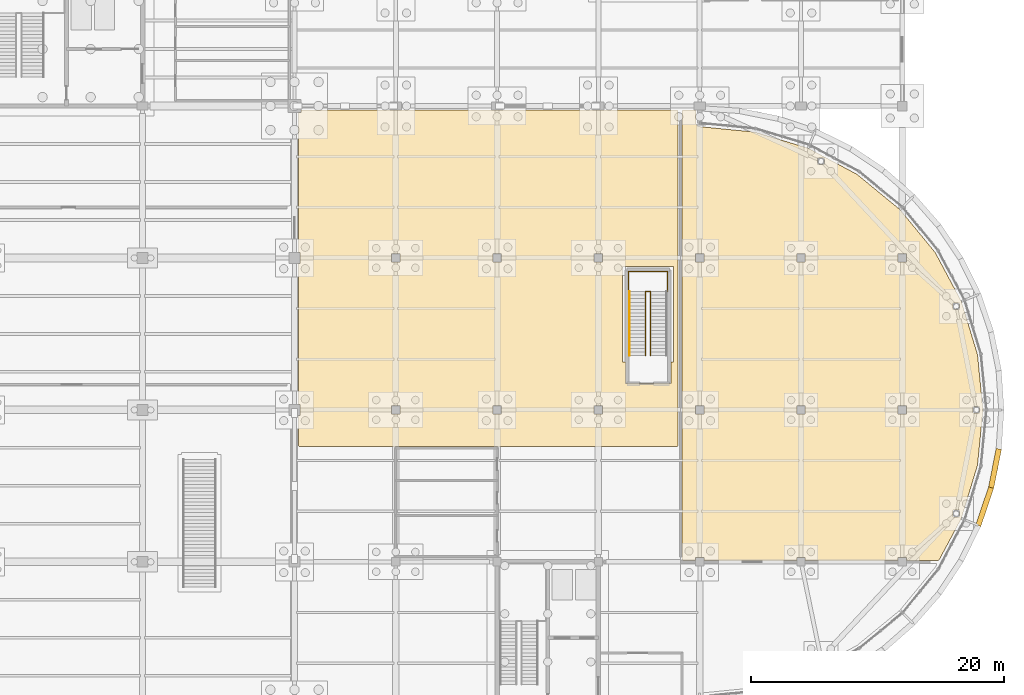
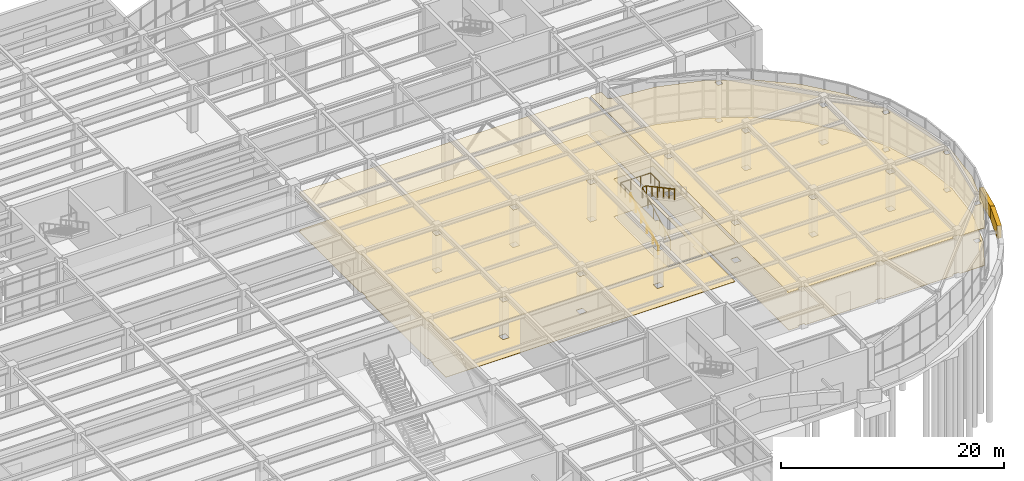
# One storey, part 81 of 85: 6 coverings, 3 railings.
"""IFC4 building model written with IfcOpenShell, lengths in metres."""

from ifc_helpers import new_model, si_unit, direction, frame, origin, origin_2d, place, context, subcontext, project, spatial, polyline, circle, outline, extrude, material, layer, layer_set, type_object, element, save


model = new_model("IFC4")

# Units and contexts
model_context = context("Model", 3, precision=1e-05, world=origin(), true_north=direction((0.0, 1.0)))
body_context = subcontext(model_context, "Body", "Model", "MODEL_VIEW")
ifc_project = project(units=[si_unit("LENGTHUNIT", "METRE"), si_unit("AREAUNIT", "SQUARE_METRE"), si_unit("VOLUMEUNIT", "CUBIC_METRE"), si_unit("PLANEANGLEUNIT", "RADIAN"), si_unit("MASSUNIT", "GRAM", prefix="KILO")], contexts=[model_context])

# Site, building, storey
site_placement = place(None, origin())
site = spatial("IfcSite", under=ifc_project, at=site_placement, CompositionType="ELEMENT")
building_placement = place(site_placement, origin())
building = spatial("IfcBuilding", under=site, at=building_placement, Name="Keelwater Ferry Terminal", CompositionType="ELEMENT")
storey_placement = place(building_placement, origin())
storey = spatial("IfcBuildingStorey", under=building, at=storey_placement, Name="L00", CompositionType="ELEMENT", Elevation=0.0)

# Coverings
ifc_material_1 = material(Name="Perforated acoustic gypsum board ceiling", Category="gypsum")
ifc_layer_1 = layer(ifc_material_1, 0.044921875)
ifc_layer_set_1 = layer_set([ifc_layer_1], Name="Perforated acoustic gypsum board ceiling")
covering_type_1 = type_object("IfcCoveringType", Name="CL-AC Acoustic Baffle Ceiling", PredefinedType="CEILING", material=ifc_layer_set_1)
covering_1_placement = place(storey_placement, frame((0.0, 0.0, 4.10009765625)))
element("IfcCovering", 1, at=covering_1_placement, inside=storey, type_object=covering_type_1, Name="Arrivals Hall Acoustic Ceiling", PredefinedType="CEILING", context=body_context, shape_type="SweptSolid", body=[
    extrude(outline(polyline([(132.320068359375, 66.43701171875), (132.320068359375, 66.445068359375), (132.320068359375, 77.554931640625), (132.320068359375, 77.56298828125), (132.321044921875, 77.56494140625), (132.43505859375, 77.56494140625), (132.43505859375, 78.43505859375), (132.321044921875, 78.43505859375), (132.320068359375, 78.43701171875), (132.320068359375, 78.445068359375), (132.320068359375, 89.47998046875), (132.320068359375, 89.488037109375), (132.321044921875, 89.489990234375), (132.510009765625, 89.489990234375), (132.510009765625, 89.678955078125), (132.511962890625, 89.679931640625), (132.52001953125, 89.679931640625), (162.199951171875, 89.679931640625), (162.2080078125, 89.679931640625), (162.216064453125, 89.677978515625), (162.222900390625, 89.677001953125), (162.23095703125, 89.674072265625), (162.238037109375, 89.6708984375), (162.243896484375, 89.6669921875), (162.2509765625, 89.662109375), (162.257080078125, 89.656982421875), (162.261962890625, 89.65087890625), (162.26708984375, 89.64404296875), (162.27099609375, 89.637939453125), (162.27392578125, 89.631103515625), (162.277099609375, 89.623046875), (162.278076171875, 89.615966796875), (162.280029296875, 89.60791015625), (162.280029296875, 89.60009765625), (162.280029296875, 63.199951171875), (162.280029296875, 63.19189453125), (162.278076171875, 63.18408203125), (162.277099609375, 63.177001953125), (162.27392578125, 63.1689453125), (162.27099609375, 63.162109375), (162.26708984375, 63.156005859375), (162.261962890625, 63.14892578125), (162.257080078125, 63.14306640625), (162.2509765625, 63.137939453125), (162.243896484375, 63.133056640625), (162.238037109375, 63.12890625), (162.23095703125, 63.1259765625), (162.222900390625, 63.123046875), (162.216064453125, 63.1220703125), (162.2080078125, 63.1201171875), (162.199951171875, 63.1201171875), (132.39990234375, 63.1201171875), (132.39208984375, 63.1201171875), (132.384033203125, 63.1220703125), (132.376953125, 63.123046875), (132.368896484375, 63.1259765625), (132.362060546875, 63.12890625), (132.35595703125, 63.133056640625), (132.34912109375, 63.137939453125), (132.343017578125, 63.14306640625), (132.337890625, 63.14892578125), (132.3330078125, 63.156005859375), (132.3291015625, 63.162109375), (132.325927734375, 63.1689453125), (132.322998046875, 63.177001953125), (132.322021484375, 63.18408203125), (132.320068359375, 63.19189453125), (132.320068359375, 63.199951171875), (132.320068359375, 65.554931640625), (132.320068359375, 65.56298828125), (132.321044921875, 65.56494140625), (132.43505859375, 65.56494140625), (132.43505859375, 66.43505859375), (132.321044921875, 66.43505859375), (132.320068359375, 66.43701171875)]), holes=[polyline([(161.719970703125, 69.800048828125), (161.93994140625, 69.800048828125), (161.93994140625, 77.340087890625), (157.89990234375, 77.340087890625), (157.89990234375, 69.800048828125), (158.179931640625, 69.800048828125), (158.179931640625, 68.080078125), (161.719970703125, 68.080078125), (161.719970703125, 69.800048828125)]), polyline([(140.3349609375, 66.3349609375), (139.6650390625, 66.3349609375), (139.6650390625, 65.6650390625), (140.3349609375, 65.6650390625), (140.3349609375, 66.3349609375)]), polyline([(156.3349609375, 66.3349609375), (155.6650390625, 66.3349609375), (155.6650390625, 65.6650390625), (156.3349609375, 65.6650390625), (156.3349609375, 66.3349609375)]), polyline([(148.3349609375, 66.3349609375), (147.6650390625, 66.3349609375), (147.6650390625, 65.6650390625), (148.3349609375, 65.6650390625), (148.3349609375, 66.3349609375)]), polyline([(156.3349609375, 78.3349609375), (155.6650390625, 78.3349609375), (155.6650390625, 77.6650390625), (156.3349609375, 77.6650390625), (156.3349609375, 78.3349609375)]), polyline([(148.3349609375, 78.3349609375), (147.6650390625, 78.3349609375), (147.6650390625, 77.6650390625), (148.3349609375, 77.6650390625), (148.3349609375, 78.3349609375)]), polyline([(140.3349609375, 78.3349609375), (139.6650390625, 78.3349609375), (139.6650390625, 77.6650390625), (140.3349609375, 77.6650390625), (140.3349609375, 78.3349609375)])]), origin(), (0.0, 0.0, 1.0), 0.044921875),
])
covering_2_placement = place(storey_placement, frame((0.0, 0.0, 4.10009765625)))
element("IfcCovering", 2, at=covering_2_placement, inside=storey, type_object=covering_type_1, Name="Baggage Reclaim Hall Acoustic Ceiling", PredefinedType="CEILING", context=body_context, shape_type="SweptSolid", body=[
    extrude(outline(polyline([(163.656005859375, 89.677978515625), (163.6630859375, 89.677001953125), (163.6708984375, 89.674072265625), (163.677978515625, 89.6708984375), (163.68408203125, 89.6669921875), (163.69091796875, 89.662109375), (163.697021484375, 89.656982421875), (163.701904296875, 89.65087890625), (163.70703125, 89.64404296875), (163.7109375, 89.637939453125), (163.714111328125, 89.631103515625), (163.717041015625, 89.623046875), (163.718017578125, 89.615966796875), (163.719970703125, 89.60791015625), (163.719970703125, 89.60009765625), (163.719970703125, 88.654052734375), (163.72607421875, 88.597900390625), (163.7548828125, 88.51611328125), (163.783935546875, 88.472900390625), (163.822021484375, 88.43505859375), (163.89306640625, 88.39208984375), (163.97802734375, 88.37109375), (168.35595703125, 87.93994140625), (168.364013671875, 87.93798828125), (168.37109375, 87.93701171875), (172.552978515625, 86.6689453125), (172.56103515625, 86.666015625), (172.568115234375, 86.6630859375), (173.837890625, 85.98388671875), (173.843994140625, 85.97998046875), (173.85107421875, 85.97509765625), (173.85693359375, 85.969970703125), (173.861083984375, 85.964111328125), (173.867919921875, 85.962890625), (173.875, 85.9619140625), (173.883056640625, 85.958984375), (173.889892578125, 85.9560546875), (176.4208984375, 84.60302734375), (176.427001953125, 84.59912109375), (176.43408203125, 84.593994140625), (179.81103515625, 81.822021484375), (179.81689453125, 81.81689453125), (179.822021484375, 81.81103515625), (182.593994140625, 78.43408203125), (182.59912109375, 78.427001953125), (182.60302734375, 78.4208984375), (184.6630859375, 74.568115234375), (184.666015625, 74.56103515625), (184.6689453125, 74.552978515625), (185.93701171875, 70.37109375), (185.93798828125, 70.364013671875), (185.93994140625, 70.35595703125), (186.367919921875, 66.008056640625), (186.367919921875, 66.0), (186.367919921875, 65.991943359375), (185.93994140625, 61.64404296875), (185.93798828125, 61.635986328125), (185.93701171875, 61.62890625), (184.6689453125, 57.447021484375), (184.666015625, 57.43896484375), (184.6630859375, 57.431884765625), (182.9150390625, 54.162109375), (182.910888671875, 54.156005859375), (182.906005859375, 54.14892578125), (182.90087890625, 54.14306640625), (182.89501953125, 54.137939453125), (182.887939453125, 54.133056640625), (182.882080078125, 54.12890625), (182.875, 54.1259765625), (182.866943359375, 54.123046875), (182.860107421875, 54.1220703125), (182.85205078125, 54.1201171875), (182.843994140625, 54.1201171875), (180.344970703125, 54.1201171875), (180.3369140625, 54.1201171875), (180.3349609375, 54.12109375), (180.3349609375, 54.3349609375), (179.6650390625, 54.3349609375), (179.6650390625, 54.12109375), (179.6630859375, 54.1201171875), (179.655029296875, 54.1201171875), (172.344970703125, 54.1201171875), (172.3369140625, 54.1201171875), (172.3349609375, 54.12109375), (172.3349609375, 54.3349609375), (171.6650390625, 54.3349609375), (171.6650390625, 54.12109375), (171.6630859375, 54.1201171875), (171.655029296875, 54.1201171875), (164.344970703125, 54.1201171875), (164.3369140625, 54.1201171875), (164.3349609375, 54.12109375), (164.3349609375, 54.3349609375), (163.6650390625, 54.3349609375), (163.6650390625, 54.12109375), (163.6630859375, 54.1201171875), (163.655029296875, 54.1201171875), (162.699951171875, 54.1201171875), (162.69189453125, 54.1201171875), (162.68408203125, 54.1220703125), (162.677001953125, 54.123046875), (162.6689453125, 54.1259765625), (162.662109375, 54.12890625), (162.656005859375, 54.133056640625), (162.64892578125, 54.137939453125), (162.64306640625, 54.14306640625), (162.637939453125, 54.14892578125), (162.633056640625, 54.156005859375), (162.62890625, 54.162109375), (162.6259765625, 54.1689453125), (162.623046875, 54.177001953125), (162.6220703125, 54.18408203125), (162.6201171875, 54.19189453125), (162.6201171875, 54.199951171875), (162.6201171875, 89.60009765625), (162.6201171875, 89.60791015625), (162.6220703125, 89.615966796875), (162.623046875, 89.623046875), (162.6259765625, 89.631103515625), (162.62890625, 89.637939453125), (162.633056640625, 89.64404296875), (162.637939453125, 89.65087890625), (162.64306640625, 89.656982421875), (162.64892578125, 89.662109375), (162.656005859375, 89.6669921875), (162.662109375, 89.6708984375), (162.6689453125, 89.674072265625), (162.677001953125, 89.677001953125), (162.68408203125, 89.677978515625), (162.69189453125, 89.679931640625), (162.699951171875, 89.679931640625), (163.639892578125, 89.679931640625), (163.64794921875, 89.679931640625), (163.656005859375, 89.677978515625)]), holes=[polyline([(183.9951171875, 58.0791015625), (183.9951171875, 57.551025390625), (184.52294921875, 57.551025390625), (184.52294921875, 58.0791015625), (183.9951171875, 58.0791015625)]), polyline([(164.3349609375, 66.3349609375), (163.6650390625, 66.3349609375), (163.6650390625, 65.6650390625), (164.3349609375, 65.6650390625), (164.3349609375, 66.3349609375)]), polyline([(172.3349609375, 66.3349609375), (171.6650390625, 66.3349609375), (171.6650390625, 65.6650390625), (172.3349609375, 65.6650390625), (172.3349609375, 66.3349609375)]), polyline([(179.6650390625, 66.3349609375), (179.6650390625, 65.6650390625), (180.3349609375, 65.6650390625), (180.3349609375, 66.3349609375), (179.6650390625, 66.3349609375)]), polyline([(186.114013671875, 66.263916015625), (185.5859375, 66.263916015625), (185.5859375, 65.736083984375), (186.114013671875, 65.736083984375), (186.114013671875, 66.263916015625)]), polyline([(183.9951171875, 74.448974609375), (183.9951171875, 73.9208984375), (184.52294921875, 73.9208984375), (184.52294921875, 74.448974609375), (183.9951171875, 74.448974609375)]), polyline([(164.3349609375, 78.3349609375), (163.6650390625, 78.3349609375), (163.6650390625, 77.6650390625), (164.3349609375, 77.6650390625), (164.3349609375, 78.3349609375)]), polyline([(180.3349609375, 78.3349609375), (179.6650390625, 78.3349609375), (179.6650390625, 77.6650390625), (180.3349609375, 77.6650390625), (180.3349609375, 78.3349609375)]), polyline([(171.6650390625, 78.3349609375), (171.6650390625, 77.6650390625), (172.3349609375, 77.6650390625), (172.3349609375, 78.3349609375), (171.6650390625, 78.3349609375)]), polyline([(173.842041015625, 85.903076171875), (173.31396484375, 85.903076171875), (173.31396484375, 85.375), (173.842041015625, 85.375), (173.842041015625, 85.903076171875)])]), origin(), (0.0, 0.0, 1.0), 0.044921875),
])
ifc_material_2 = material(Name="Polished mineral terrazzo tile", Category="stone")
ifc_layer_2 = layer(ifc_material_2, 0.030029296875)
ifc_layer_set_2 = layer_set([ifc_layer_2], Name="Polished mineral terrazzo tile")
covering_type_2 = type_object("IfcCoveringType", Name="FL-TZ Marine Terrazzo Flooring", PredefinedType="FLOORING", material=ifc_layer_set_2)
covering_3_placement = place(storey_placement, origin())
element("IfcCovering", 3, at=covering_3_placement, inside=storey, type_object=covering_type_2, Name="Arrivals Hall Terrazzo Floor", PredefinedType="FLOORING", context=body_context, shape_type="SweptSolid", body=[
    extrude(outline(polyline([(132.320068359375, 66.43701171875), (132.320068359375, 66.445068359375), (132.320068359375, 77.554931640625), (132.320068359375, 77.56298828125), (132.321044921875, 77.56494140625), (132.43505859375, 77.56494140625), (132.43505859375, 78.43505859375), (132.321044921875, 78.43505859375), (132.320068359375, 78.43701171875), (132.320068359375, 78.445068359375), (132.320068359375, 89.47998046875), (132.320068359375, 89.488037109375), (132.321044921875, 89.489990234375), (132.510009765625, 89.489990234375), (132.510009765625, 89.678955078125), (132.511962890625, 89.679931640625), (132.52001953125, 89.679931640625), (162.199951171875, 89.679931640625), (162.2080078125, 89.679931640625), (162.216064453125, 89.677978515625), (162.222900390625, 89.677001953125), (162.23095703125, 89.674072265625), (162.238037109375, 89.6708984375), (162.243896484375, 89.6669921875), (162.2509765625, 89.662109375), (162.257080078125, 89.656982421875), (162.261962890625, 89.65087890625), (162.26708984375, 89.64404296875), (162.27099609375, 89.637939453125), (162.27392578125, 89.631103515625), (162.277099609375, 89.623046875), (162.278076171875, 89.615966796875), (162.280029296875, 89.60791015625), (162.280029296875, 89.60009765625), (162.280029296875, 63.199951171875), (162.280029296875, 63.19189453125), (162.278076171875, 63.18408203125), (162.277099609375, 63.177001953125), (162.27392578125, 63.1689453125), (162.27099609375, 63.162109375), (162.26708984375, 63.156005859375), (162.261962890625, 63.14892578125), (162.257080078125, 63.14306640625), (162.2509765625, 63.137939453125), (162.243896484375, 63.133056640625), (162.238037109375, 63.12890625), (162.23095703125, 63.1259765625), (162.222900390625, 63.123046875), (162.216064453125, 63.1220703125), (162.2080078125, 63.1201171875), (162.199951171875, 63.1201171875), (132.39990234375, 63.1201171875), (132.39208984375, 63.1201171875), (132.384033203125, 63.1220703125), (132.376953125, 63.123046875), (132.368896484375, 63.1259765625), (132.362060546875, 63.12890625), (132.35595703125, 63.133056640625), (132.34912109375, 63.137939453125), (132.343017578125, 63.14306640625), (132.337890625, 63.14892578125), (132.3330078125, 63.156005859375), (132.3291015625, 63.162109375), (132.325927734375, 63.1689453125), (132.322998046875, 63.177001953125), (132.322021484375, 63.18408203125), (132.320068359375, 63.19189453125), (132.320068359375, 63.199951171875), (132.320068359375, 65.554931640625), (132.320068359375, 65.56298828125), (132.321044921875, 65.56494140625), (132.43505859375, 65.56494140625), (132.43505859375, 66.43505859375), (132.321044921875, 66.43505859375), (132.320068359375, 66.43701171875)]), holes=[polyline([(161.719970703125, 69.800048828125), (161.93994140625, 69.800048828125), (161.93994140625, 77.340087890625), (157.89990234375, 77.340087890625), (157.89990234375, 69.800048828125), (158.179931640625, 69.800048828125), (158.179931640625, 68.080078125), (161.719970703125, 68.080078125), (161.719970703125, 69.800048828125)]), polyline([(140.3349609375, 66.3349609375), (139.6650390625, 66.3349609375), (139.6650390625, 65.6650390625), (140.3349609375, 65.6650390625), (140.3349609375, 66.3349609375)]), polyline([(156.3349609375, 66.3349609375), (155.6650390625, 66.3349609375), (155.6650390625, 65.6650390625), (156.3349609375, 65.6650390625), (156.3349609375, 66.3349609375)]), polyline([(148.3349609375, 66.3349609375), (147.6650390625, 66.3349609375), (147.6650390625, 65.6650390625), (148.3349609375, 65.6650390625), (148.3349609375, 66.3349609375)]), polyline([(156.3349609375, 78.3349609375), (155.6650390625, 78.3349609375), (155.6650390625, 77.6650390625), (156.3349609375, 77.6650390625), (156.3349609375, 78.3349609375)]), polyline([(148.3349609375, 78.3349609375), (147.6650390625, 78.3349609375), (147.6650390625, 77.6650390625), (148.3349609375, 77.6650390625), (148.3349609375, 78.3349609375)]), polyline([(140.3349609375, 78.3349609375), (139.6650390625, 78.3349609375), (139.6650390625, 77.6650390625), (140.3349609375, 77.6650390625), (140.3349609375, 78.3349609375)])]), origin(), (0.0, 0.0, 1.0), 0.030029296875),
])
covering_4_placement = place(storey_placement, origin())
element("IfcCovering", 4, at=covering_4_placement, inside=storey, type_object=covering_type_2, Name="Baggage Reclaim Hall Terrazzo Floor", PredefinedType="FLOORING", context=body_context, shape_type="SweptSolid", body=[
    extrude(outline(polyline([(163.656005859375, 89.677978515625), (163.6630859375, 89.677001953125), (163.6708984375, 89.674072265625), (163.677978515625, 89.6708984375), (163.68408203125, 89.6669921875), (163.69091796875, 89.662109375), (163.697021484375, 89.656982421875), (163.701904296875, 89.65087890625), (163.70703125, 89.64404296875), (163.7109375, 89.637939453125), (163.714111328125, 89.631103515625), (163.717041015625, 89.623046875), (163.718017578125, 89.615966796875), (163.719970703125, 89.60791015625), (163.719970703125, 89.60009765625), (163.719970703125, 88.654052734375), (163.72607421875, 88.597900390625), (163.7548828125, 88.51611328125), (163.783935546875, 88.472900390625), (163.822021484375, 88.43505859375), (163.89306640625, 88.39208984375), (163.97802734375, 88.37109375), (168.35595703125, 87.93994140625), (168.364013671875, 87.93798828125), (168.37109375, 87.93701171875), (172.552978515625, 86.6689453125), (172.56103515625, 86.666015625), (172.568115234375, 86.6630859375), (173.837890625, 85.98388671875), (173.843994140625, 85.97998046875), (173.85107421875, 85.97509765625), (173.85693359375, 85.969970703125), (173.861083984375, 85.964111328125), (173.867919921875, 85.962890625), (173.875, 85.9619140625), (173.883056640625, 85.958984375), (173.889892578125, 85.9560546875), (176.4208984375, 84.60302734375), (176.427001953125, 84.59912109375), (176.43408203125, 84.593994140625), (179.81103515625, 81.822021484375), (179.81689453125, 81.81689453125), (179.822021484375, 81.81103515625), (182.593994140625, 78.43408203125), (182.59912109375, 78.427001953125), (182.60302734375, 78.4208984375), (184.6630859375, 74.568115234375), (184.666015625, 74.56103515625), (184.6689453125, 74.552978515625), (185.93701171875, 70.37109375), (185.93798828125, 70.364013671875), (185.93994140625, 70.35595703125), (186.367919921875, 66.008056640625), (186.367919921875, 66.0), (186.367919921875, 65.991943359375), (185.93994140625, 61.64404296875), (185.93798828125, 61.635986328125), (185.93701171875, 61.62890625), (184.6689453125, 57.447021484375), (184.666015625, 57.43896484375), (184.6630859375, 57.431884765625), (182.9150390625, 54.162109375), (182.910888671875, 54.156005859375), (182.906005859375, 54.14892578125), (182.90087890625, 54.14306640625), (182.89501953125, 54.137939453125), (182.887939453125, 54.133056640625), (182.882080078125, 54.12890625), (182.875, 54.1259765625), (182.866943359375, 54.123046875), (182.860107421875, 54.1220703125), (182.85205078125, 54.1201171875), (182.843994140625, 54.1201171875), (180.344970703125, 54.1201171875), (180.3369140625, 54.1201171875), (180.3349609375, 54.12109375), (180.3349609375, 54.3349609375), (179.6650390625, 54.3349609375), (179.6650390625, 54.12109375), (179.6630859375, 54.1201171875), (179.655029296875, 54.1201171875), (172.344970703125, 54.1201171875), (172.3369140625, 54.1201171875), (172.3349609375, 54.12109375), (172.3349609375, 54.3349609375), (171.6650390625, 54.3349609375), (171.6650390625, 54.12109375), (171.6630859375, 54.1201171875), (171.655029296875, 54.1201171875), (164.344970703125, 54.1201171875), (164.3369140625, 54.1201171875), (164.3349609375, 54.12109375), (164.3349609375, 54.3349609375), (163.6650390625, 54.3349609375), (163.6650390625, 54.12109375), (163.6630859375, 54.1201171875), (163.655029296875, 54.1201171875), (162.699951171875, 54.1201171875), (162.69189453125, 54.1201171875), (162.68408203125, 54.1220703125), (162.677001953125, 54.123046875), (162.6689453125, 54.1259765625), (162.662109375, 54.12890625), (162.656005859375, 54.133056640625), (162.64892578125, 54.137939453125), (162.64306640625, 54.14306640625), (162.637939453125, 54.14892578125), (162.633056640625, 54.156005859375), (162.62890625, 54.162109375), (162.6259765625, 54.1689453125), (162.623046875, 54.177001953125), (162.6220703125, 54.18408203125), (162.6201171875, 54.19189453125), (162.6201171875, 54.199951171875), (162.6201171875, 89.60009765625), (162.6201171875, 89.60791015625), (162.6220703125, 89.615966796875), (162.623046875, 89.623046875), (162.6259765625, 89.631103515625), (162.62890625, 89.637939453125), (162.633056640625, 89.64404296875), (162.637939453125, 89.65087890625), (162.64306640625, 89.656982421875), (162.64892578125, 89.662109375), (162.656005859375, 89.6669921875), (162.662109375, 89.6708984375), (162.6689453125, 89.674072265625), (162.677001953125, 89.677001953125), (162.68408203125, 89.677978515625), (162.69189453125, 89.679931640625), (162.699951171875, 89.679931640625), (163.639892578125, 89.679931640625), (163.64794921875, 89.679931640625), (163.656005859375, 89.677978515625)]), holes=[polyline([(183.9951171875, 58.0791015625), (183.9951171875, 57.551025390625), (184.52294921875, 57.551025390625), (184.52294921875, 58.0791015625), (183.9951171875, 58.0791015625)]), polyline([(164.3349609375, 66.3349609375), (163.6650390625, 66.3349609375), (163.6650390625, 65.6650390625), (164.3349609375, 65.6650390625), (164.3349609375, 66.3349609375)]), polyline([(172.3349609375, 66.3349609375), (171.6650390625, 66.3349609375), (171.6650390625, 65.6650390625), (172.3349609375, 65.6650390625), (172.3349609375, 66.3349609375)]), polyline([(179.6650390625, 66.3349609375), (179.6650390625, 65.6650390625), (180.3349609375, 65.6650390625), (180.3349609375, 66.3349609375), (179.6650390625, 66.3349609375)]), polyline([(186.114013671875, 66.263916015625), (185.5859375, 66.263916015625), (185.5859375, 65.736083984375), (186.114013671875, 65.736083984375), (186.114013671875, 66.263916015625)]), polyline([(183.9951171875, 74.448974609375), (183.9951171875, 73.9208984375), (184.52294921875, 73.9208984375), (184.52294921875, 74.448974609375), (183.9951171875, 74.448974609375)]), polyline([(164.3349609375, 78.3349609375), (163.6650390625, 78.3349609375), (163.6650390625, 77.6650390625), (164.3349609375, 77.6650390625), (164.3349609375, 78.3349609375)]), polyline([(180.3349609375, 78.3349609375), (179.6650390625, 78.3349609375), (179.6650390625, 77.6650390625), (180.3349609375, 77.6650390625), (180.3349609375, 78.3349609375)]), polyline([(171.6650390625, 78.3349609375), (171.6650390625, 77.6650390625), (172.3349609375, 77.6650390625), (172.3349609375, 78.3349609375), (171.6650390625, 78.3349609375)]), polyline([(173.842041015625, 85.903076171875), (173.31396484375, 85.903076171875), (173.31396484375, 85.375), (173.842041015625, 85.375), (173.842041015625, 85.903076171875)])]), origin(), (0.0, 0.0, 1.0), 0.030029296875),
])

# Railings
ifc_material_3 = material(Name="Painted Steel S355", Category="steel")
railing_type_1 = type_object("IfcRailingType", Name="GR-115 Stair Well Guardrail", PredefinedType="GUARDRAIL", material=ifc_material_3)
railing_1_placement = place(storey_placement, frame((159.7099609375, 70.300048828125, 0.0)))
element("IfcRailing", 5, at=railing_1_placement, inside=storey, type_object=railing_type_1, Name="Stair ST-E5-L00 Inner Well Guard 87", PredefinedType="GUARDRAIL", context=body_context, shape_type="SweptSolid", body=[
    extrude(circle(Radius=0.02392578125, at=origin_2d()), frame((0.0, 0.0, 1.1259765625), z_axis=(0.0, 0.881485048194, 0.472211933151), x_axis=(-1.0, 0.0, 0.0)), (0.0, 0.0, 1.0), 5.7177734375),
    extrude(circle(Radius=0.02392578125, at=origin_2d()), frame((0.0, 5.0400390625, 3.82568359375), z_axis=(1.0, 0.0, 0.0), x_axis=(0.0, 1.0, 0.0)), (0.0, 0.0, 1.0), 0.419921875),
    extrude(circle(Radius=0.02392578125, at=origin_2d()), frame((0.419921875, 5.0400390625, 3.82568359375), z_axis=(0.0, -0.881485048194, 0.472211933151), x_axis=(1.0, 0.0, 0.0)), (0.0, 0.0, 1.0), 5.7177734375),
    extrude(circle(Radius=0.02099609375, at=origin_2d()), origin(), (0.0, 0.0, 1.0), 1.101806640625),
    extrude(circle(Radius=0.02099609375, at=origin_2d()), frame((0.0, 1.008056640625, 0.5400390625)), (0.0, 0.0, 1.0), 1.101806640625),
    extrude(circle(Radius=0.02099609375, at=origin_2d()), frame((0.0, 2.01611328125, 1.080078125)), (0.0, 0.0, 1.0), 1.101806640625),
    extrude(circle(Radius=0.02099609375, at=origin_2d()), frame((0.0, 3.02392578125, 1.619873046875)), (0.0, 0.0, 1.0), 1.101806640625),
    extrude(circle(Radius=0.02099609375, at=origin_2d()), frame((0.0, 4.031982421875, 2.159912109375)), (0.0, 0.0, 1.0), 1.101806640625),
    extrude(circle(Radius=0.02099609375, at=origin_2d()), frame((0.0, 5.0400390625, 2.699951171875)), (0.0, 0.0, 1.0), 1.101806640625),
    extrude(circle(Radius=0.02099609375, at=origin_2d()), frame((0.419921875, 5.0400390625, 2.699951171875)), (0.0, 0.0, 1.0), 1.101806640625),
    extrude(circle(Radius=0.02099609375, at=origin_2d()), frame((0.419921875, 4.031982421875, 3.239990234375)), (0.0, 0.0, 1.0), 1.101806640625),
    extrude(circle(Radius=0.02099609375, at=origin_2d()), frame((0.419921875, 3.02392578125, 3.780029296875)), (0.0, 0.0, 1.0), 1.101806640625),
    extrude(circle(Radius=0.02099609375, at=origin_2d()), frame((0.419921875, 2.01611328125, 4.31982421875)), (0.0, 0.0, 1.0), 1.101806640625),
    extrude(circle(Radius=0.02099609375, at=origin_2d()), frame((0.419921875, 1.008056640625, 4.85986328125)), (0.0, 0.0, 1.0), 1.101806640625),
    extrude(circle(Radius=0.02099609375, at=origin_2d()), frame((0.419921875, 0.0, 5.39990234375)), (0.0, 0.0, 1.0), 1.101806640625),
])
railing_2_placement = place(storey_placement, frame((158.39990234375, 75.340087890625, 2.699951171875)))
element("IfcRailing", 6, at=railing_2_placement, inside=storey, type_object=railing_type_1, Name="Stair ST-E5-L00 Half-Landing Guard 88", PredefinedType="GUARDRAIL", context=body_context, shape_type="SweptSolid", body=[
    extrude(circle(Radius=0.02392578125, at=origin_2d()), frame((0.0, 0.0, 1.1259765625), z_axis=(-1.0, 0.0, 0.0), x_axis=(0.0, -1.0, 0.0)), (0.0, 0.0, 1.0), 0.02001953125),
    extrude(circle(Radius=0.02392578125, at=origin_2d()), frame((-0.02001953125, 0.0, 1.1259765625), z_axis=(0.0, 1.0, 0.0), x_axis=(-1.0, 0.0, 0.0)), (0.0, 0.0, 1.0), 1.579833984375),
    extrude(circle(Radius=0.02392578125, at=origin_2d()), frame((-0.02001953125, 1.579833984375, 1.1259765625), z_axis=(1.0, 0.0, 0.0), x_axis=(0.0, 1.0, 0.0)), (0.0, 0.0, 1.0), 3.090087890625),
    extrude(circle(Radius=0.02392578125, at=origin_2d()), frame((3.070068359375, 1.579833984375, 1.1259765625), z_axis=(0.0, -1.0, 0.0), x_axis=(1.0, 0.0, 0.0)), (0.0, 0.0, 1.0), 1.579833984375),
    extrude(circle(Radius=0.02392578125, at=origin_2d()), frame((3.070068359375, 0.0, 1.1259765625), z_axis=(-1.0, 0.0, 0.0), x_axis=(0.0, -1.0, 0.0)), (0.0, 0.0, 1.0), 0.030029296875),
    extrude(circle(Radius=0.02099609375, at=origin_2d()), origin(), (0.0, 0.0, 1.0), 1.101806640625),
    extrude(circle(Radius=0.02099609375, at=origin_2d()), frame((-0.02001953125, 0.0, 0.0)), (0.0, 0.0, 1.0), 1.101806640625),
    extrude(circle(Radius=0.02099609375, at=origin_2d()), frame((-0.02001953125, 0.7900390625, 0.0)), (0.0, 0.0, 1.0), 1.101806640625),
    extrude(circle(Radius=0.02099609375, at=origin_2d()), frame((-0.02001953125, 1.579833984375, 0.0)), (0.0, 0.0, 1.0), 1.101806640625),
    extrude(circle(Radius=0.02099609375, at=origin_2d()), frame((1.010009765625, 1.579833984375, 0.0)), (0.0, 0.0, 1.0), 1.101806640625),
    extrude(circle(Radius=0.02099609375, at=origin_2d()), frame((2.0400390625, 1.579833984375, 0.0)), (0.0, 0.0, 1.0), 1.101806640625),
    extrude(circle(Radius=0.02099609375, at=origin_2d()), frame((3.070068359375, 1.579833984375, 0.0)), (0.0, 0.0, 1.0), 1.101806640625),
    extrude(circle(Radius=0.02099609375, at=origin_2d()), frame((3.070068359375, 0.7900390625, 0.0)), (0.0, 0.0, 1.0), 1.101806640625),
    extrude(circle(Radius=0.02099609375, at=origin_2d()), frame((3.070068359375, 0.0, 0.0)), (0.0, 0.0, 1.0), 1.101806640625),
    extrude(circle(Radius=0.02099609375, at=origin_2d()), frame((3.0400390625, 0.0, 0.0)), (0.0, 0.0, 1.0), 1.101806640625),
])
ifc_material_4 = material(Name="Brushed stainless steel handrail", Category="steel")
railing_type_2 = type_object("IfcRailingType", Name="HR-920 Stair Pitch Handrail", PredefinedType="HANDRAIL", material=ifc_material_4)
railing_3_placement = place(storey_placement, frame((158.4599609375, 70.300048828125, 0.0)))
element("IfcRailing", 7, at=railing_3_placement, inside=storey, type_object=railing_type_2, Name="Stair ST-E5-L00 Flight 1 Handrail 89", PredefinedType="HANDRAIL", context=body_context, shape_type="SweptSolid", body=[
    extrude(circle(Radius=0.02392578125, at=origin_2d()), frame((0.0, 0.0, 0.89599609375), z_axis=(0.0, 0.881485048194, 0.472211933151), x_axis=(-1.0, 0.0, 0.0)), (0.0, 0.0, 1.0), 5.7177734375),
    extrude(circle(Radius=0.02099609375, at=origin_2d()), origin(), (0.0, 0.0, 1.0), 0.871826171875),
    extrude(circle(Radius=0.02099609375, at=origin_2d()), frame((0.0, 1.008056640625, 0.5400390625)), (0.0, 0.0, 1.0), 0.871826171875),
    extrude(circle(Radius=0.02099609375, at=origin_2d()), frame((0.0, 2.01611328125, 1.080078125)), (0.0, 0.0, 1.0), 0.871826171875),
    extrude(circle(Radius=0.02099609375, at=origin_2d()), frame((0.0, 3.02392578125, 1.619873046875)), (0.0, 0.0, 1.0), 0.871826171875),
    extrude(circle(Radius=0.02099609375, at=origin_2d()), frame((0.0, 4.031982421875, 2.159912109375)), (0.0, 0.0, 1.0), 0.871826171875),
    extrude(circle(Radius=0.02099609375, at=origin_2d()), frame((0.0, 5.0400390625, 2.699951171875)), (0.0, 0.0, 1.0), 0.871826171875),
])

# Coverings
ifc_material_5 = material(Name="Matte white architectural aluminium fascia ribbon", Category="aluminium")
ifc_layer_3 = layer(ifc_material_5, 0.1201171875)
ifc_layer_set_3 = layer_set([ifc_layer_3], Name="Matte white architectural aluminium fascia ribbon")
covering_type_3 = type_object("IfcCoveringType", Name="RB-WHT Matte White Fascia Ribbon", PredefinedType="CLADDING", material=ifc_layer_set_3)
covering_5_placement = place(storey_placement, frame((185.9990234375, 56.860107421875, 0.25), z_axis=(0.0, 0.0, 1.0), x_axis=(0.321196336342, 0.94701262585, 0.0)))
element("IfcCovering", 8, at=covering_5_placement, inside=storey, type_object=covering_type_3, Name="Quay Plinth Wave Fascia Ribbon 676", PredefinedType="CLADDING", context=body_context, shape_type="SweptSolid", body=[
    extrude(outline(polyline([(0.0, 0.0), (3.16650390625, 0.0), (3.16650390625, 1.35009765625), (0.0, 1.35009765625), (0.0, 0.0)])), frame((0.0, 0.2099609375, 0.0), z_axis=(0.0, -1.0, 0.0), x_axis=(1.0, 0.0, 0.0)), (0.0, 0.0, 1.0), 0.419921875),
])
covering_6_placement = place(storey_placement, frame((187.0029296875, 59.81005859375, 0.25), z_axis=(0.0, 0.0, 1.0), x_axis=(0.195196875454, 0.98076407959, 0.0)))
element("IfcCovering", 9, at=covering_6_placement, inside=storey, type_object=covering_type_3, Name="Quay Plinth Wave Fascia Ribbon 688", PredefinedType="CLADDING", context=body_context, shape_type="SweptSolid", body=[
    extrude(outline(polyline([(0.0, 0.0), (3.1669921875, 0.0), (3.1669921875, 1.35009765625), (0.0, 1.35009765625), (0.0, 0.0)])), frame((0.0, 0.2099609375, 0.0), z_axis=(0.0, -1.0, 0.0), x_axis=(1.0, 0.0, 0.0)), (0.0, 0.0, 1.0), 0.419921875),
])

save(model, "model.ifc")
